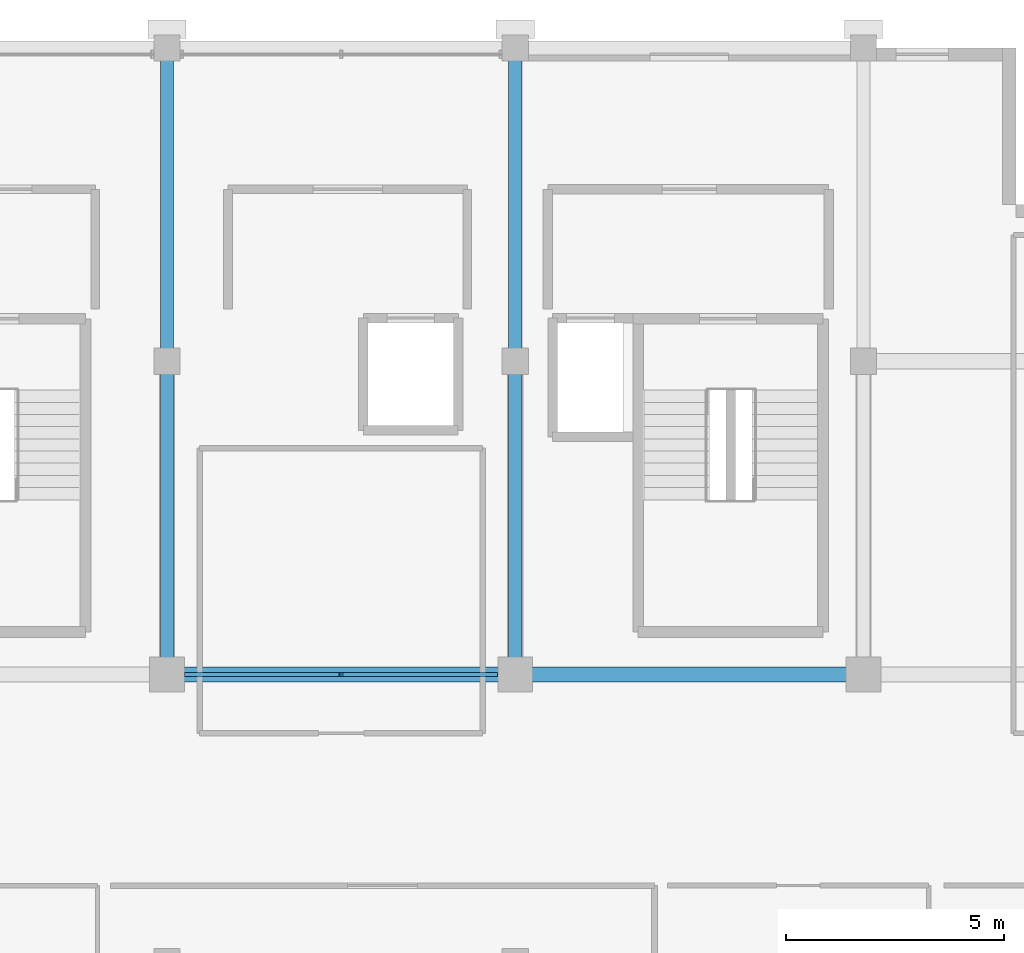
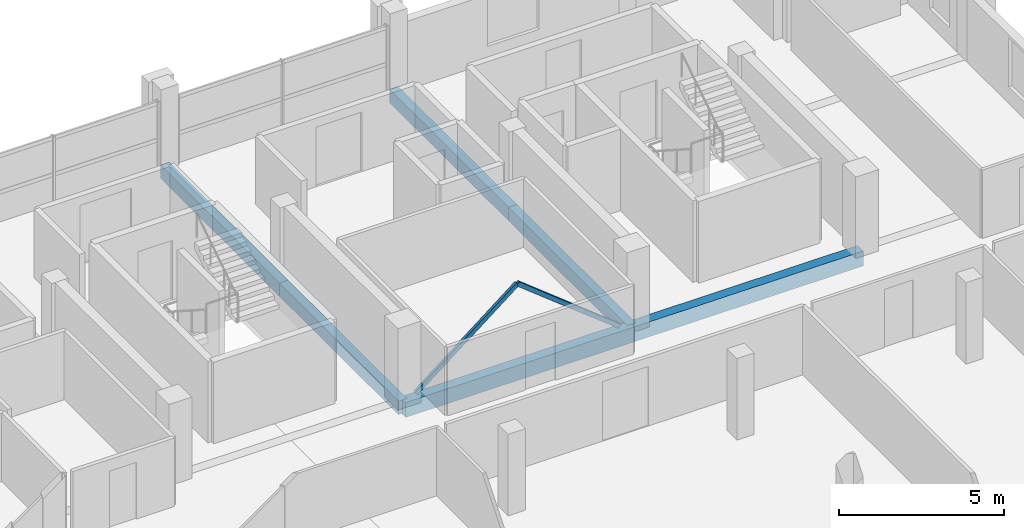
# One storey, part 12 of 24: 6 beams, 2 members.
"""IFC4 building model written with IfcOpenShell, lengths in metres."""

from ifc_helpers import new_model, si_unit, direction, frame, origin, origin_2d, place, context, subcontext, project, spatial, rectangle, hollow_rectangle, extrude, material, material_profile, profile_set, type_object, element, save


model = new_model("IFC4")

# Units and contexts
model_context = context("Model", 3, precision=1e-05, world=origin(), true_north=direction((0.0, 1.0)))
body_context = subcontext(model_context, "Body", "Model", "MODEL_VIEW")
ifc_project = project(units=[si_unit("LENGTHUNIT", "METRE"), si_unit("AREAUNIT", "SQUARE_METRE"), si_unit("VOLUMEUNIT", "CUBIC_METRE"), si_unit("PLANEANGLEUNIT", "RADIAN"), si_unit("MASSUNIT", "GRAM", prefix="KILO")], contexts=[model_context])

# Site, building, storey
site_placement = place(None, origin())
site = spatial("IfcSite", under=ifc_project, at=site_placement, CompositionType="ELEMENT")
building_placement = place(site_placement, origin())
building = spatial("IfcBuilding", under=site, at=building_placement, Name="Akrevak Sports Hall", CompositionType="ELEMENT")
storey_placement = place(building_placement, frame((0.0, 0.0, 63.300048828125)))
storey = spatial("IfcBuildingStorey", under=building, at=storey_placement, Name="L16", CompositionType="ELEMENT", Elevation=63.300048828125)

# Beams
ifc_material_1 = material(Name="Concrete C40/50", Category="concrete")
ifc_material_profile_1 = material_profile(ifc_material_1, rectangle(XDim=0.300048828125, YDim=0.5, at=origin_2d()), Name="BM 300x500", Category="concrete")
ifc_profile_set_1 = profile_set([ifc_material_profile_1], Name="Concrete C40/50")
beam_type_1 = type_object("IfcBeamType", Name="STR-BM-RC300x500", PredefinedType="BEAM", material=ifc_profile_set_1)
beam_1_placement = place(storey_placement, frame((84.0, 55.199951171875, -0.25), z_axis=(0.0, 1.0, 0.0), x_axis=(-1.0, 0.0, 0.0)))
element("IfcBeam", 1, at=beam_1_placement, inside=storey, type_object=beam_type_1, Name="Girder 12/I-J (L16)", PredefinedType="BEAM", context=body_context, shape_type="SweptSolid", body=[
    extrude(rectangle(XDim=0.300048828125, YDim=0.5, at=origin_2d()), origin(), (0.0, 0.0, 1.0), 7.199951171875),
])
beam_2_placement = place(storey_placement, frame((84.0, 62.39990234375, -0.25), z_axis=(0.0, 1.0, 0.0), x_axis=(-1.0, 0.0, 0.0)))
element("IfcBeam", 2, at=beam_2_placement, inside=storey, type_object=beam_type_1, Name="Girder 12/J-K (L16)", PredefinedType="BEAM", context=body_context, shape_type="SweptSolid", body=[
    extrude(rectangle(XDim=0.300048828125, YDim=0.5, at=origin_2d()), origin(), (0.0, 0.0, 1.0), 7.2001953125),
])
beam_3_placement = place(storey_placement, frame((92.0, 55.199951171875, -0.25), z_axis=(0.0, 1.0, 0.0), x_axis=(-1.0, 0.0, 0.0)))
element("IfcBeam", 3, at=beam_3_placement, inside=storey, type_object=beam_type_1, Name="Girder 13/I-J (L16)", PredefinedType="BEAM", context=body_context, shape_type="SweptSolid", body=[
    extrude(rectangle(XDim=0.300048828125, YDim=0.5, at=origin_2d()), origin(), (0.0, 0.0, 1.0), 7.199951171875),
])
beam_4_placement = place(storey_placement, frame((92.0, 62.39990234375, -0.25), z_axis=(0.0, 1.0, 0.0), x_axis=(-1.0, 0.0, 0.0)))
element("IfcBeam", 4, at=beam_4_placement, inside=storey, type_object=beam_type_1, Name="Girder 13/J-K (L16)", PredefinedType="BEAM", context=body_context, shape_type="SweptSolid", body=[
    extrude(rectangle(XDim=0.300048828125, YDim=0.5, at=origin_2d()), origin(), (0.0, 0.0, 1.0), 7.2001953125),
])
ifc_material_profile_2 = material_profile(ifc_material_1, rectangle(XDim=0.35009765625, YDim=0.550048828125, at=origin_2d()), Name="BM 350x550", Category="concrete")
ifc_profile_set_2 = profile_set([ifc_material_profile_2], Name="Concrete C40/50")
beam_type_2 = type_object("IfcBeamType", Name="STR-BM-RC350x550", PredefinedType="BEAM", material=ifc_profile_set_2)
for number, where, z_axis, x_axis, name in (
    (5, (84.0, 55.199951171875, -0.275146484375), (1.0, 0.0, 0.0), (0.0, 1.0, 0.0), "Girder I/12-13 (L16)"),
    (6, (92.0, 55.199951171875, -0.275146484375), (1.0, 0.0, 0.0), (0.0, 1.0, 0.0), "Girder I/13-14 (L16)"),
):
    element("IfcBeam", number, at=place(storey_placement, frame(where, z_axis=z_axis, x_axis=x_axis)), inside=storey, type_object=beam_type_2, Name=name, PredefinedType="BEAM", context=body_context, shape_type="SweptSolid", body=[
        extrude(rectangle(XDim=0.35009765625, YDim=0.550048828125, at=origin_2d()), origin(), (0.0, 0.0, 1.0), 8.0),
    ])

# Members
ifc_material_2 = material(Name="Steel S355", Category="steel")
ifc_material_profile_3 = material_profile(ifc_material_2, hollow_rectangle(XDim=0.10009765625, YDim=0.14990234375, WallThickness=0.008056640625, at=origin_2d()), Name="RHS 150x100x8", Category="steel")
ifc_profile_set_3 = profile_set([ifc_material_profile_3], Name="Steel S355")
member_type = type_object("IfcMemberType", Name="STR-MEM-STR-RHS150", PredefinedType="BRACE", material=ifc_profile_set_3)
for number, where, z_axis, x_axis, name in (
    (7, (84.449951171875, 55.199951171875, 0.099853515625), (0.784088465774, 0.0, 0.620649077853), (0.0, 1.0, 0.0), "Tower Chevron Steel Brace L16-8A"),
    (8, (91.550048828125, 55.199951171875, 0.099853515625), (-0.784088465774, 0.0, 0.620649077853), (0.0, -1.0, 0.0), "Tower Chevron Steel Brace L16-8B"),
):
    element("IfcMember", number, at=place(storey_placement, frame(where, z_axis=z_axis, x_axis=x_axis)), inside=storey, type_object=member_type, Name=name, PredefinedType="BRACE", context=body_context, shape_type="SweptSolid", body=[
        extrude(hollow_rectangle(XDim=0.10009765625, YDim=0.14990234375, WallThickness=0.008056640625, at=origin_2d()), origin(), (0.0, 0.0, 1.0), 4.527587890625),
    ])

save(model, "model.ifc")
